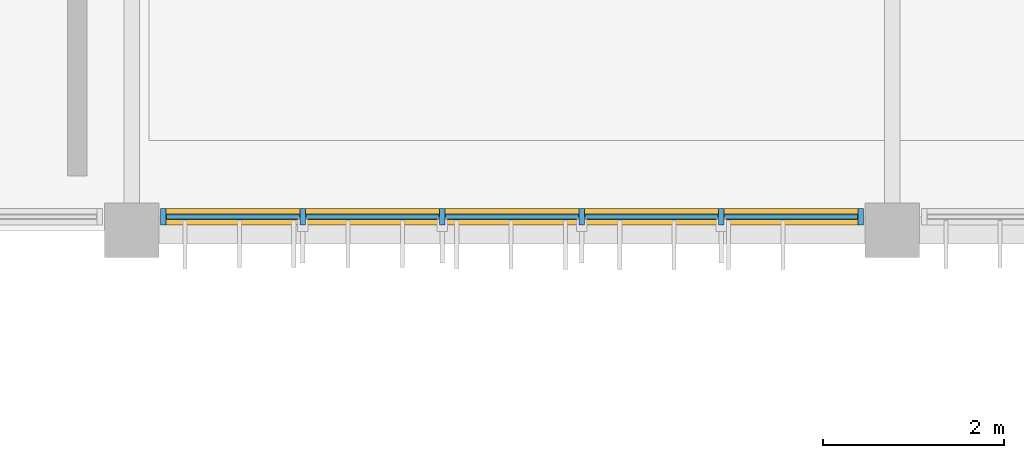
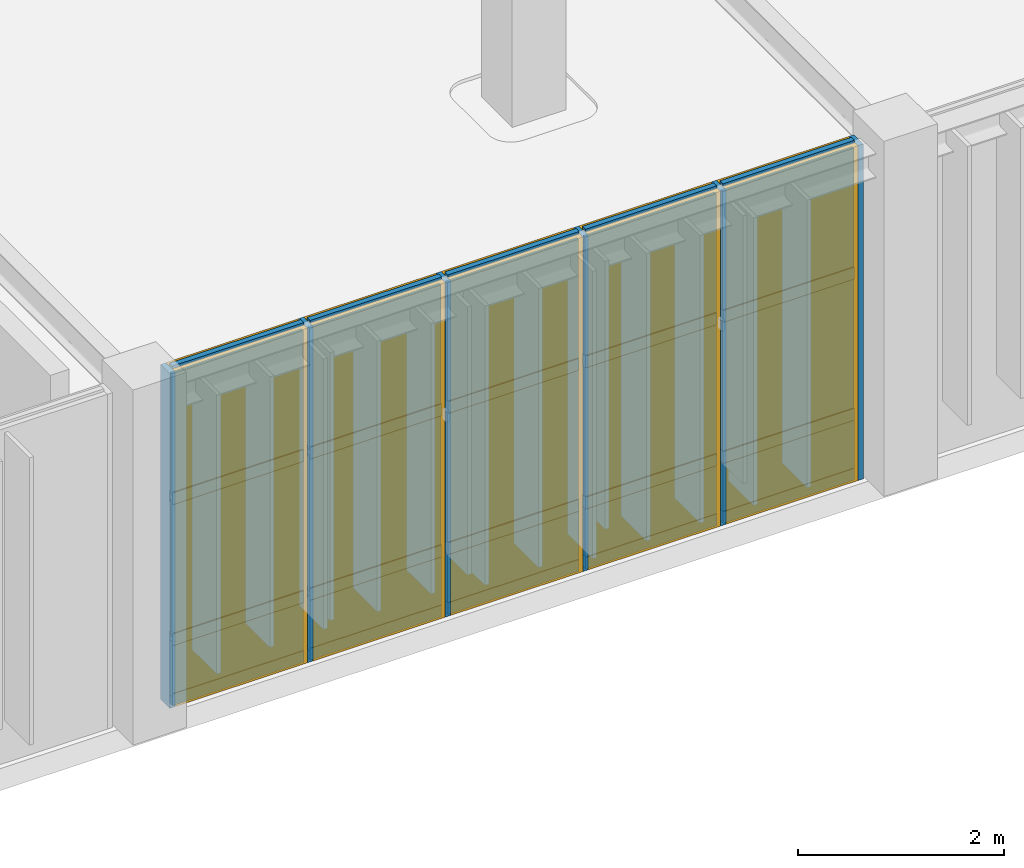
# One storey, part 63 of 104: 26 members, 15 plates, 1 curtain wall.
"""IFC4 building model written with IfcOpenShell, lengths in metres."""

from ifc_helpers import new_model, si_unit, direction, frame, frame_2d, origin, origin_2d, place, context, subcontext, project, spatial, rectangle, extrude, material, layer, layer_set, material_profile, profile_set, type_object, element, aggregate, save


model = new_model("IFC4")

# Units and contexts
model_context = context("Model", 3, precision=1e-05, world=origin(), true_north=direction((0.0, 1.0)))
body_context = subcontext(model_context, "Body", "Model", "MODEL_VIEW")
ifc_project = project(units=[si_unit("LENGTHUNIT", "METRE"), si_unit("AREAUNIT", "SQUARE_METRE"), si_unit("VOLUMEUNIT", "CUBIC_METRE"), si_unit("PLANEANGLEUNIT", "RADIAN"), si_unit("MASSUNIT", "GRAM", prefix="KILO")], contexts=[model_context])

# Member
ifc_material_1 = material(Name="Anodised Bronze Aluminium 6063-T6", Category="aluminium")
ifc_material_profile_1 = material_profile(ifc_material_1, rectangle(XDim=0.06005859375, YDim=0.179931640625, at=origin_2d()), Name="ALU MULLION 60x180")
ifc_profile_set_1 = profile_set([ifc_material_profile_1], Name="Anodised Bronze Aluminium 6063-T6")
member_type_1 = type_object("IfcMemberType", Name="Curtain-Wall Primary Mullion 60x180", PredefinedType="MULLION", material=ifc_profile_set_1)
site_placement = place(None, origin())
building_placement = place(site_placement, origin())
storey_placement = place(building_placement, frame((0.0, 0.0, 9.0)))
member_1_placement = place(storey_placement, frame((11.14990234375, 44.75, 0.0), z_axis=(0.0, 0.0, 1.0), x_axis=(1.0, 0.0, 0.0)))
member_1 = element("IfcMember", 1, at=member_1_placement, type_object=member_type_1, Name="Mullion CWM-01 CW-V6-S-L02-B2-M01", PredefinedType="MULLION", context=body_context, shape_type="SweptSolid", body=[
    extrude(rectangle(XDim=0.06005859375, YDim=0.179931640625, at=origin_2d()), origin(), (0.0, 0.0, 1.0), 3.9599609375),
])

member_2_placement = place(storey_placement, frame((12.68994140625, 44.75, 0.0), z_axis=(0.0, 0.0, 1.0), x_axis=(1.0, 0.0, 0.0)))
member_2 = element("IfcMember", 2, at=member_2_placement, type_object=member_type_1, Name="Mullion CWM-01 CW-V6-S-L02-B2-M02", PredefinedType="MULLION", context=body_context, shape_type="SweptSolid", body=[
    extrude(rectangle(XDim=0.06005859375, YDim=0.179931640625, at=origin_2d()), origin(), (0.0, 0.0, 1.0), 3.9599609375),
])

member_3_placement = place(storey_placement, frame((14.22998046875, 44.75, 0.0), z_axis=(0.0, 0.0, 1.0), x_axis=(1.0, 0.0, 0.0)))
member_3 = element("IfcMember", 3, at=member_3_placement, type_object=member_type_1, Name="Mullion CWM-01 CW-V6-S-L02-B2-M03", PredefinedType="MULLION", context=body_context, shape_type="SweptSolid", body=[
    extrude(rectangle(XDim=0.06005859375, YDim=0.179931640625, at=origin_2d()), origin(), (0.0, 0.0, 1.0), 3.9599609375),
])

member_4_placement = place(storey_placement, frame((15.77001953125, 44.75, 0.0), z_axis=(0.0, 0.0, 1.0), x_axis=(1.0, 0.0, 0.0)))
member_4 = element("IfcMember", 4, at=member_4_placement, type_object=member_type_1, Name="Mullion CWM-01 CW-V6-S-L02-B2-M04", PredefinedType="MULLION", context=body_context, shape_type="SweptSolid", body=[
    extrude(rectangle(XDim=0.06005859375, YDim=0.179931640625, at=origin_2d()), origin(), (0.0, 0.0, 1.0), 3.9599609375),
])

member_5_placement = place(storey_placement, frame((17.31005859375, 44.75, 0.0), z_axis=(0.0, 0.0, 1.0), x_axis=(1.0, 0.0, 0.0)))
member_5 = element("IfcMember", 5, at=member_5_placement, type_object=member_type_1, Name="Mullion CWM-01 CW-V6-S-L02-B2-M05", PredefinedType="MULLION", context=body_context, shape_type="SweptSolid", body=[
    extrude(rectangle(XDim=0.06005859375, YDim=0.179931640625, at=origin_2d()), origin(), (0.0, 0.0, 1.0), 3.9599609375),
])

member_6_placement = place(storey_placement, frame((18.85009765625, 44.75, 0.0), z_axis=(0.0, 0.0, 1.0), x_axis=(1.0, 0.0, 0.0)))
member_6 = element("IfcMember", 6, at=member_6_placement, type_object=member_type_1, Name="Mullion CWM-01 CW-V6-S-L02-B2-M06", PredefinedType="MULLION", context=body_context, shape_type="SweptSolid", body=[
    extrude(rectangle(XDim=0.06005859375, YDim=0.179931640625, at=origin_2d()), origin(), (0.0, 0.0, 1.0), 3.9599609375),
])

ifc_material_profile_2 = material_profile(ifc_material_1, rectangle(XDim=0.06005859375, YDim=0.139892578125, at=origin_2d()), Name="ALU TRANSOM 60x140")
ifc_profile_set_2 = profile_set([ifc_material_profile_2], Name="Anodised Bronze Aluminium 6063-T6")
member_type_2 = type_object("IfcMemberType", Name="Curtain-Wall Transom 60x140", PredefinedType="USERDEFINED", material=ifc_profile_set_2)
member_7_placement = place(storey_placement, frame((11.18505859375, 44.75, 0.0400390625), z_axis=(1.0, 0.0, 0.0), x_axis=(0.0, 1.0, 0.0)))
member_7 = element("IfcMember", 7, at=member_7_placement, type_object=member_type_2, Name="Transom CWT-01 CW-V6-S-L02-B2-T01.1", ObjectType="TRANSOM", PredefinedType="USERDEFINED", context=body_context, shape_type="SweptSolid", body=[
    extrude(rectangle(XDim=0.06005859375, YDim=0.139892578125, at=origin_2d()), origin(), (0.0, 0.0, 1.0), 1.469970703125),
])

member_8_placement = place(storey_placement, frame((11.18505859375, 44.75, 0.75), z_axis=(1.0, 0.0, 0.0), x_axis=(0.0, 1.0, 0.0)))
member_8 = element("IfcMember", 8, at=member_8_placement, type_object=member_type_2, Name="Transom CWT-01 CW-V6-S-L02-B2-T01.2", ObjectType="TRANSOM", PredefinedType="USERDEFINED", context=body_context, shape_type="SweptSolid", body=[
    extrude(rectangle(XDim=0.06005859375, YDim=0.139892578125, at=origin_2d()), origin(), (0.0, 0.0, 1.0), 1.469970703125),
])

member_9_placement = place(storey_placement, frame((11.18505859375, 44.75, 2.419189453125), z_axis=(1.0, 0.0, 0.0), x_axis=(0.0, 1.0, 0.0)))
member_9 = element("IfcMember", 9, at=member_9_placement, type_object=member_type_2, Name="Transom CWT-01 CW-V6-S-L02-B2-T01.3", ObjectType="TRANSOM", PredefinedType="USERDEFINED", context=body_context, shape_type="SweptSolid", body=[
    extrude(rectangle(XDim=0.06005859375, YDim=0.139892578125, at=origin_2d()), origin(), (0.0, 0.0, 1.0), 1.469970703125),
])

member_10_placement = place(storey_placement, frame((11.18505859375, 44.75, 3.919921875), z_axis=(1.0, 0.0, 0.0), x_axis=(0.0, 1.0, 0.0)))
member_10 = element("IfcMember", 10, at=member_10_placement, type_object=member_type_2, Name="Transom CWT-01 CW-V6-S-L02-B2-T01.4", ObjectType="TRANSOM", PredefinedType="USERDEFINED", context=body_context, shape_type="SweptSolid", body=[
    extrude(rectangle(XDim=0.06005859375, YDim=0.139892578125, at=origin_2d()), origin(), (0.0, 0.0, 1.0), 1.469970703125),
])

member_11_placement = place(storey_placement, frame((12.72509765625, 44.75, 0.0400390625), z_axis=(1.0, 0.0, 0.0), x_axis=(0.0, 1.0, 0.0)))
member_11 = element("IfcMember", 11, at=member_11_placement, type_object=member_type_2, Name="Transom CWT-01 CW-V6-S-L02-B2-T02.1", ObjectType="TRANSOM", PredefinedType="USERDEFINED", context=body_context, shape_type="SweptSolid", body=[
    extrude(rectangle(XDim=0.06005859375, YDim=0.139892578125, at=origin_2d()), origin(), (0.0, 0.0, 1.0), 1.469970703125),
])

member_12_placement = place(storey_placement, frame((12.72509765625, 44.75, 0.75), z_axis=(1.0, 0.0, 0.0), x_axis=(0.0, 1.0, 0.0)))
member_12 = element("IfcMember", 12, at=member_12_placement, type_object=member_type_2, Name="Transom CWT-01 CW-V6-S-L02-B2-T02.2", ObjectType="TRANSOM", PredefinedType="USERDEFINED", context=body_context, shape_type="SweptSolid", body=[
    extrude(rectangle(XDim=0.06005859375, YDim=0.139892578125, at=origin_2d()), origin(), (0.0, 0.0, 1.0), 1.469970703125),
])

member_13_placement = place(storey_placement, frame((12.72509765625, 44.75, 2.419189453125), z_axis=(1.0, 0.0, 0.0), x_axis=(0.0, 1.0, 0.0)))
member_13 = element("IfcMember", 13, at=member_13_placement, type_object=member_type_2, Name="Transom CWT-01 CW-V6-S-L02-B2-T02.3", ObjectType="TRANSOM", PredefinedType="USERDEFINED", context=body_context, shape_type="SweptSolid", body=[
    extrude(rectangle(XDim=0.06005859375, YDim=0.139892578125, at=origin_2d()), origin(), (0.0, 0.0, 1.0), 1.469970703125),
])

member_14_placement = place(storey_placement, frame((12.72509765625, 44.75, 3.919921875), z_axis=(1.0, 0.0, 0.0), x_axis=(0.0, 1.0, 0.0)))
member_14 = element("IfcMember", 14, at=member_14_placement, type_object=member_type_2, Name="Transom CWT-01 CW-V6-S-L02-B2-T02.4", ObjectType="TRANSOM", PredefinedType="USERDEFINED", context=body_context, shape_type="SweptSolid", body=[
    extrude(rectangle(XDim=0.06005859375, YDim=0.139892578125, at=origin_2d()), origin(), (0.0, 0.0, 1.0), 1.469970703125),
])

member_15_placement = place(storey_placement, frame((14.264892578125, 44.75, 0.0400390625), z_axis=(1.0, 0.0, 0.0), x_axis=(0.0, 1.0, 0.0)))
member_15 = element("IfcMember", 15, at=member_15_placement, type_object=member_type_2, Name="Transom CWT-01 CW-V6-S-L02-B2-T03.1", ObjectType="TRANSOM", PredefinedType="USERDEFINED", context=body_context, shape_type="SweptSolid", body=[
    extrude(rectangle(XDim=0.06005859375, YDim=0.139892578125, at=origin_2d()), origin(), (0.0, 0.0, 1.0), 1.47021484375),
])

member_16_placement = place(storey_placement, frame((14.264892578125, 44.75, 0.75), z_axis=(1.0, 0.0, 0.0), x_axis=(0.0, 1.0, 0.0)))
member_16 = element("IfcMember", 16, at=member_16_placement, type_object=member_type_2, Name="Transom CWT-01 CW-V6-S-L02-B2-T03.2", ObjectType="TRANSOM", PredefinedType="USERDEFINED", context=body_context, shape_type="SweptSolid", body=[
    extrude(rectangle(XDim=0.06005859375, YDim=0.139892578125, at=origin_2d()), origin(), (0.0, 0.0, 1.0), 1.47021484375),
])

member_17_placement = place(storey_placement, frame((14.264892578125, 44.75, 2.419189453125), z_axis=(1.0, 0.0, 0.0), x_axis=(0.0, 1.0, 0.0)))
member_17 = element("IfcMember", 17, at=member_17_placement, type_object=member_type_2, Name="Transom CWT-01 CW-V6-S-L02-B2-T03.3", ObjectType="TRANSOM", PredefinedType="USERDEFINED", context=body_context, shape_type="SweptSolid", body=[
    extrude(rectangle(XDim=0.06005859375, YDim=0.139892578125, at=origin_2d()), origin(), (0.0, 0.0, 1.0), 1.47021484375),
])

member_18_placement = place(storey_placement, frame((14.264892578125, 44.75, 3.919921875), z_axis=(1.0, 0.0, 0.0), x_axis=(0.0, 1.0, 0.0)))
member_18 = element("IfcMember", 18, at=member_18_placement, type_object=member_type_2, Name="Transom CWT-01 CW-V6-S-L02-B2-T03.4", ObjectType="TRANSOM", PredefinedType="USERDEFINED", context=body_context, shape_type="SweptSolid", body=[
    extrude(rectangle(XDim=0.06005859375, YDim=0.139892578125, at=origin_2d()), origin(), (0.0, 0.0, 1.0), 1.47021484375),
])

member_19_placement = place(storey_placement, frame((15.804931640625, 44.75, 0.0400390625), z_axis=(1.0, 0.0, 0.0), x_axis=(0.0, 1.0, 0.0)))
member_19 = element("IfcMember", 19, at=member_19_placement, type_object=member_type_2, Name="Transom CWT-01 CW-V6-S-L02-B2-T04.1", ObjectType="TRANSOM", PredefinedType="USERDEFINED", context=body_context, shape_type="SweptSolid", body=[
    extrude(rectangle(XDim=0.06005859375, YDim=0.139892578125, at=origin_2d()), origin(), (0.0, 0.0, 1.0), 1.469970703125),
])

member_20_placement = place(storey_placement, frame((15.804931640625, 44.75, 0.75), z_axis=(1.0, 0.0, 0.0), x_axis=(0.0, 1.0, 0.0)))
member_20 = element("IfcMember", 20, at=member_20_placement, type_object=member_type_2, Name="Transom CWT-01 CW-V6-S-L02-B2-T04.2", ObjectType="TRANSOM", PredefinedType="USERDEFINED", context=body_context, shape_type="SweptSolid", body=[
    extrude(rectangle(XDim=0.06005859375, YDim=0.139892578125, at=origin_2d()), origin(), (0.0, 0.0, 1.0), 1.469970703125),
])

member_21_placement = place(storey_placement, frame((15.804931640625, 44.75, 2.419189453125), z_axis=(1.0, 0.0, 0.0), x_axis=(0.0, 1.0, 0.0)))
member_21 = element("IfcMember", 21, at=member_21_placement, type_object=member_type_2, Name="Transom CWT-01 CW-V6-S-L02-B2-T04.3", ObjectType="TRANSOM", PredefinedType="USERDEFINED", context=body_context, shape_type="SweptSolid", body=[
    extrude(rectangle(XDim=0.06005859375, YDim=0.139892578125, at=origin_2d()), origin(), (0.0, 0.0, 1.0), 1.469970703125),
])

member_22_placement = place(storey_placement, frame((15.804931640625, 44.75, 3.919921875), z_axis=(1.0, 0.0, 0.0), x_axis=(0.0, 1.0, 0.0)))
member_22 = element("IfcMember", 22, at=member_22_placement, type_object=member_type_2, Name="Transom CWT-01 CW-V6-S-L02-B2-T04.4", ObjectType="TRANSOM", PredefinedType="USERDEFINED", context=body_context, shape_type="SweptSolid", body=[
    extrude(rectangle(XDim=0.06005859375, YDim=0.139892578125, at=origin_2d()), origin(), (0.0, 0.0, 1.0), 1.469970703125),
])

member_23_placement = place(storey_placement, frame((17.344970703125, 44.75, 0.0400390625), z_axis=(1.0, 0.0, 0.0), x_axis=(0.0, 1.0, 0.0)))
member_23 = element("IfcMember", 23, at=member_23_placement, type_object=member_type_2, Name="Transom CWT-01 CW-V6-S-L02-B2-T05.1", ObjectType="TRANSOM", PredefinedType="USERDEFINED", context=body_context, shape_type="SweptSolid", body=[
    extrude(rectangle(XDim=0.06005859375, YDim=0.139892578125, at=origin_2d()), origin(), (0.0, 0.0, 1.0), 1.469970703125),
])

member_24_placement = place(storey_placement, frame((17.344970703125, 44.75, 0.75), z_axis=(1.0, 0.0, 0.0), x_axis=(0.0, 1.0, 0.0)))
member_24 = element("IfcMember", 24, at=member_24_placement, type_object=member_type_2, Name="Transom CWT-01 CW-V6-S-L02-B2-T05.2", ObjectType="TRANSOM", PredefinedType="USERDEFINED", context=body_context, shape_type="SweptSolid", body=[
    extrude(rectangle(XDim=0.06005859375, YDim=0.139892578125, at=origin_2d()), origin(), (0.0, 0.0, 1.0), 1.469970703125),
])

member_25_placement = place(storey_placement, frame((17.344970703125, 44.75, 2.419189453125), z_axis=(1.0, 0.0, 0.0), x_axis=(0.0, 1.0, 0.0)))
member_25 = element("IfcMember", 25, at=member_25_placement, type_object=member_type_2, Name="Transom CWT-01 CW-V6-S-L02-B2-T05.3", ObjectType="TRANSOM", PredefinedType="USERDEFINED", context=body_context, shape_type="SweptSolid", body=[
    extrude(rectangle(XDim=0.06005859375, YDim=0.139892578125, at=origin_2d()), origin(), (0.0, 0.0, 1.0), 1.469970703125),
])

member_26_placement = place(storey_placement, frame((17.344970703125, 44.75, 3.919921875), z_axis=(1.0, 0.0, 0.0), x_axis=(0.0, 1.0, 0.0)))
member_26 = element("IfcMember", 26, at=member_26_placement, type_object=member_type_2, Name="Transom CWT-01 CW-V6-S-L02-B2-T05.4", ObjectType="TRANSOM", PredefinedType="USERDEFINED", context=body_context, shape_type="SweptSolid", body=[
    extrude(rectangle(XDim=0.06005859375, YDim=0.139892578125, at=origin_2d()), origin(), (0.0, 0.0, 1.0), 1.469970703125),
])

# Plate
ifc_material_2 = material(Name="Insulated Bronze Aluminium Spandrel Panel", Category="aluminium")
ifc_layer_1 = layer(ifc_material_2, 0.050048828125, Name="Insulated Bronze Aluminium Spandrel Panel")
ifc_layer_set_1 = layer_set([ifc_layer_1], Name="Insulated Bronze Aluminium Spandrel Panel")
plate_type_1 = type_object("IfcPlateType", Name="Insulated Anodised Aluminium Spandrel Cassette 50", PredefinedType="CURTAIN_PANEL", material=ifc_layer_set_1)
plate_1_placement = place(storey_placement, frame((11.919921875, 44.75, 0.070068359375), z_axis=(0.0, 0.0, 1.0), x_axis=(1.0, 0.0, 0.0)))
plate_1 = element("IfcPlate", 27, at=plate_1_placement, type_object=plate_type_1, Name="Curtain Panel CWP-03 CW-V6-S-L02-B2-P01.1", PredefinedType="CURTAIN_PANEL", context=body_context, shape_type="SweptSolid", body=[
    extrude(rectangle(XDim=1.469970703125, YDim=0.050048828125, at=origin_2d()), origin(), (0.0, 0.0, 1.0), 0.64990234375),
])

plate_2_placement = place(storey_placement, frame((13.4599609375, 44.75, 0.070068359375), z_axis=(0.0, 0.0, 1.0), x_axis=(1.0, 0.0, 0.0)))
plate_2 = element("IfcPlate", 28, at=plate_2_placement, type_object=plate_type_1, Name="Curtain Panel CWP-03 CW-V6-S-L02-B2-P02.1", PredefinedType="CURTAIN_PANEL", context=body_context, shape_type="SweptSolid", body=[
    extrude(rectangle(XDim=1.469970703125, YDim=0.050048828125, at=origin_2d()), origin(), (0.0, 0.0, 1.0), 0.64990234375),
])

plate_3_placement = place(storey_placement, frame((15.0, 44.75, 0.070068359375), z_axis=(0.0, 0.0, 1.0), x_axis=(1.0, 0.0, 0.0)))
plate_3 = element("IfcPlate", 29, at=plate_3_placement, type_object=plate_type_1, Name="Curtain Panel CWP-03 CW-V6-S-L02-B2-P03.1", PredefinedType="CURTAIN_PANEL", context=body_context, shape_type="SweptSolid", body=[
    extrude(rectangle(XDim=1.469970703125, YDim=0.050048828125, at=origin_2d()), origin(), (0.0, 0.0, 1.0), 0.64990234375),
])

plate_4_placement = place(storey_placement, frame((16.5400390625, 44.75, 0.070068359375), z_axis=(0.0, 0.0, 1.0), x_axis=(1.0, 0.0, 0.0)))
plate_4 = element("IfcPlate", 30, at=plate_4_placement, type_object=plate_type_1, Name="Curtain Panel CWP-03 CW-V6-S-L02-B2-P04.1", PredefinedType="CURTAIN_PANEL", context=body_context, shape_type="SweptSolid", body=[
    extrude(rectangle(XDim=1.469970703125, YDim=0.050048828125, at=origin_2d()), origin(), (0.0, 0.0, 1.0), 0.64990234375),
])

plate_5_placement = place(storey_placement, frame((18.080078125, 44.75, 0.070068359375), z_axis=(0.0, 0.0, 1.0), x_axis=(1.0, 0.0, 0.0)))
plate_5 = element("IfcPlate", 31, at=plate_5_placement, type_object=plate_type_1, Name="Curtain Panel CWP-03 CW-V6-S-L02-B2-P05.1", PredefinedType="CURTAIN_PANEL", context=body_context, shape_type="SweptSolid", body=[
    extrude(rectangle(XDim=1.469970703125, YDim=0.050048828125, at=origin_2d()), origin(), (0.0, 0.0, 1.0), 0.64990234375),
])

ifc_material_3 = material(Name="Solar-Control Tempered Double Glazing", Category="glass")
ifc_layer_2 = layer(ifc_material_3, 0.0380859375, Name="Solar-Control Tempered Double Glazing")
ifc_layer_set_2 = layer_set([ifc_layer_2], Name="Solar-Control Tempered Double Glazing")
plate_type_2 = type_object("IfcPlateType", Name="Solar-Control Vision Glazing Unit 38", PredefinedType="CURTAIN_PANEL", material=ifc_layer_set_2)
plate_6_placement = place(storey_placement, frame((11.919921875, 44.75, 0.7802734375), z_axis=(0.0, 0.0, 1.0), x_axis=(1.0, 0.0, 0.0)))
plate_6 = element("IfcPlate", 32, at=plate_6_placement, type_object=plate_type_2, Name="Curtain Panel CWP-02 CW-V6-S-L02-B2-P01.2", PredefinedType="CURTAIN_PANEL", context=body_context, shape_type="SweptSolid", body=[
    extrude(rectangle(XDim=1.469970703125, YDim=0.0380859375, at=origin_2d()), origin(), (0.0, 0.0, 1.0), 1.609130859375),
])

plate_7_placement = place(storey_placement, frame((11.919921875, 44.75, 2.44921875), z_axis=(0.0, 0.0, 1.0), x_axis=(1.0, 0.0, 0.0)))
plate_7 = element("IfcPlate", 33, at=plate_7_placement, type_object=plate_type_2, Name="Curtain Panel CWP-02 CW-V6-S-L02-B2-P01.3", PredefinedType="CURTAIN_PANEL", context=body_context, shape_type="SweptSolid", body=[
    extrude(rectangle(XDim=1.469970703125, YDim=0.0380859375, at=origin_2d()), origin(), (0.0, 0.0, 1.0), 1.44091796875),
])

plate_8_placement = place(storey_placement, frame((13.4599609375, 44.75, 0.7802734375), z_axis=(0.0, 0.0, 1.0), x_axis=(1.0, 0.0, 0.0)))
plate_8 = element("IfcPlate", 34, at=plate_8_placement, type_object=plate_type_2, Name="Curtain Panel CWP-02 CW-V6-S-L02-B2-P02.2", PredefinedType="CURTAIN_PANEL", context=body_context, shape_type="SweptSolid", body=[
    extrude(rectangle(XDim=1.469970703125, YDim=0.0380859375, at=origin_2d()), origin(), (0.0, 0.0, 1.0), 1.609130859375),
])

plate_9_placement = place(storey_placement, frame((13.4599609375, 44.75, 2.44921875), z_axis=(0.0, 0.0, 1.0), x_axis=(1.0, 0.0, 0.0)))
plate_9 = element("IfcPlate", 35, at=plate_9_placement, type_object=plate_type_2, Name="Curtain Panel CWP-02 CW-V6-S-L02-B2-P02.3", PredefinedType="CURTAIN_PANEL", context=body_context, shape_type="SweptSolid", body=[
    extrude(rectangle(XDim=1.469970703125, YDim=0.0380859375, at=origin_2d()), origin(), (0.0, 0.0, 1.0), 1.44091796875),
])

plate_10_placement = place(storey_placement, frame((15.0, 44.75, 0.7802734375), z_axis=(0.0, 0.0, 1.0), x_axis=(1.0, 0.0, 0.0)))
plate_10 = element("IfcPlate", 36, at=plate_10_placement, type_object=plate_type_2, Name="Curtain Panel CWP-02 CW-V6-S-L02-B2-P03.2", PredefinedType="CURTAIN_PANEL", context=body_context, shape_type="SweptSolid", body=[
    extrude(rectangle(XDim=1.469970703125, YDim=0.0380859375, at=origin_2d()), origin(), (0.0, 0.0, 1.0), 1.609130859375),
])

plate_11_placement = place(storey_placement, frame((15.0, 44.75, 2.44921875), z_axis=(0.0, 0.0, 1.0), x_axis=(1.0, 0.0, 0.0)))
plate_11 = element("IfcPlate", 37, at=plate_11_placement, type_object=plate_type_2, Name="Curtain Panel CWP-02 CW-V6-S-L02-B2-P03.3", PredefinedType="CURTAIN_PANEL", context=body_context, shape_type="SweptSolid", body=[
    extrude(rectangle(XDim=1.469970703125, YDim=0.0380859375, at=origin_2d()), origin(), (0.0, 0.0, 1.0), 1.44091796875),
])

plate_12_placement = place(storey_placement, frame((16.5400390625, 44.75, 0.7802734375), z_axis=(0.0, 0.0, 1.0), x_axis=(1.0, 0.0, 0.0)))
plate_12 = element("IfcPlate", 38, at=plate_12_placement, type_object=plate_type_2, Name="Curtain Panel CWP-02 CW-V6-S-L02-B2-P04.2", PredefinedType="CURTAIN_PANEL", context=body_context, shape_type="SweptSolid", body=[
    extrude(rectangle(XDim=1.469970703125, YDim=0.0380859375, at=origin_2d()), origin(), (0.0, 0.0, 1.0), 1.609130859375),
])

plate_13_placement = place(storey_placement, frame((16.5400390625, 44.75, 2.44921875), z_axis=(0.0, 0.0, 1.0), x_axis=(1.0, 0.0, 0.0)))
plate_13 = element("IfcPlate", 39, at=plate_13_placement, type_object=plate_type_2, Name="Curtain Panel CWP-02 CW-V6-S-L02-B2-P04.3", PredefinedType="CURTAIN_PANEL", context=body_context, shape_type="SweptSolid", body=[
    extrude(rectangle(XDim=1.469970703125, YDim=0.0380859375, at=origin_2d()), origin(), (0.0, 0.0, 1.0), 1.44091796875),
])

plate_14_placement = place(storey_placement, frame((18.080078125, 44.75, 0.7802734375), z_axis=(0.0, 0.0, 1.0), x_axis=(1.0, 0.0, 0.0)))
plate_14 = element("IfcPlate", 40, at=plate_14_placement, type_object=plate_type_2, Name="Curtain Panel CWP-02 CW-V6-S-L02-B2-P05.2", PredefinedType="CURTAIN_PANEL", context=body_context, shape_type="SweptSolid", body=[
    extrude(rectangle(XDim=1.469970703125, YDim=0.0380859375, at=origin_2d()), origin(), (0.0, 0.0, 1.0), 1.609130859375),
])

plate_15_placement = place(storey_placement, frame((18.080078125, 44.75, 2.44921875), z_axis=(0.0, 0.0, 1.0), x_axis=(1.0, 0.0, 0.0)))
plate_15 = element("IfcPlate", 41, at=plate_15_placement, type_object=plate_type_2, Name="Curtain Panel CWP-02 CW-V6-S-L02-B2-P05.3", PredefinedType="CURTAIN_PANEL", context=body_context, shape_type="SweptSolid", body=[
    extrude(rectangle(XDim=1.469970703125, YDim=0.0380859375, at=origin_2d()), origin(), (0.0, 0.0, 1.0), 1.44091796875),
])

# Site, building, storey
site = spatial("IfcSite", under=ifc_project, at=site_placement, CompositionType="ELEMENT")
building = spatial("IfcBuilding", under=site, at=building_placement, Name="Tazoul Stagehouse", CompositionType="ELEMENT")
storey = spatial("IfcBuildingStorey", under=building, at=storey_placement, Name="L02", CompositionType="ELEMENT", Elevation=9.0)

# Curtain wall
curtain_wall_type = type_object("IfcCurtainWallType", Name="Foyer Clear Solar-Control Curtain Wall", PredefinedType="NOTDEFINED", material=ifc_material_1)
curtain_wall_placement = place(storey_placement, frame((11.14990234375, 44.75, 0.0), z_axis=(0.0, 0.0, 1.0), x_axis=(1.0, 0.0, 0.0)))
curtain_wall = element("IfcCurtainWall", 42, at=curtain_wall_placement, inside=storey, type_object=curtain_wall_type, Name="L02 Curtain Wall CW-02 (CW-V6-S-L02-B2)", PredefinedType="NOTDEFINED", context=body_context, shape_type="SweptSolid", body=[
    extrude(rectangle(XDim=7.7001953125, YDim=0.179931640625, at=frame_2d((3.85009765625, 0.0))), origin(), (0.0, 0.0, 1.0), 3.9599609375),
])

aggregate(curtain_wall, [member_1, member_2, member_3, member_4, member_5, member_6, member_7, member_8, member_9, member_10, plate_1, plate_6, plate_7, member_11, member_12, member_13, member_14, plate_2, plate_8, plate_9, member_15, member_16, member_17, member_18, plate_3, plate_10, plate_11, member_19, member_20, member_21, member_22, plate_4, plate_12, plate_13, member_23, member_24, member_25, member_26, plate_5, plate_14, plate_15])

save(model, "model.ifc")
